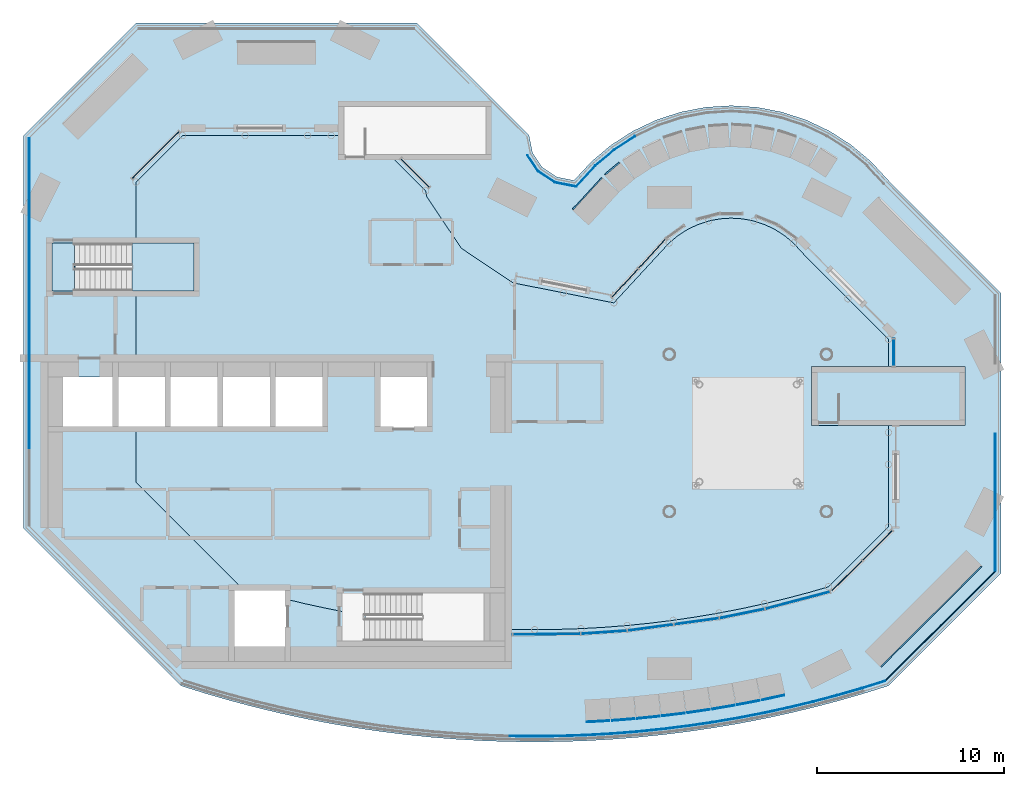
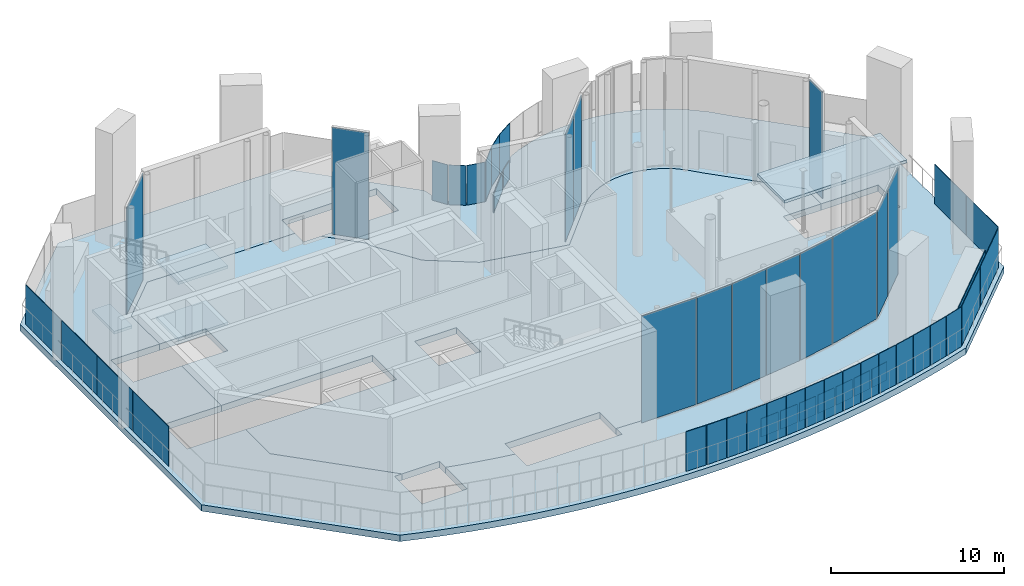
# One storey, part 6 of 14: 53 plates, 6 slabs, 11 elements without a shape of their own.
"""IFC4 building model written with IfcOpenShell, lengths in metres."""

from ifc_helpers import new_model, si_unit, direction, frame, origin, origin_2d, place, context, subcontext, project, spatial, polyline, rectangle, outline, extrude, material, layer, layer_set, type_object, element, aggregate, save


model = new_model("IFC4")

# Units and contexts
model_context = context("Model", 3, precision=1e-05, world=origin(), true_north=direction((0.0, 1.0)))
body_context = subcontext(model_context, "Body", "Model", "MODEL_VIEW")
ifc_project = project(units=[si_unit("LENGTHUNIT", "METRE"), si_unit("AREAUNIT", "SQUARE_METRE"), si_unit("VOLUMEUNIT", "CUBIC_METRE"), si_unit("PLANEANGLEUNIT", "RADIAN"), si_unit("MASSUNIT", "GRAM", prefix="KILO")], contexts=[model_context])

# Site, building, storey
site_placement = place(None, origin())
site = spatial("IfcSite", under=ifc_project, at=site_placement, CompositionType="ELEMENT")
building_placement = place(site_placement, origin())
building = spatial("IfcBuilding", under=site, at=building_placement, Name="Brevane Broadcast Tower", CompositionType="ELEMENT")
storey_placement = place(building_placement, frame((0.0, 0.0, 256.199951171875)))
storey = spatial("IfcBuildingStorey", under=building, at=storey_placement, Name="L65", CompositionType="ELEMENT", Elevation=256.199951171875)

# Curtain wall, plate
ifc_material_1 = material(Name="Aluminium 6063-T6 bronze anodised", Category="aluminium")
curtain_wall_type = type_object("IfcCurtainWallType", Name="CW-5 curtain wall", PredefinedType="NOTDEFINED", material=ifc_material_1)
curtain_wall_1_placement = place(storey_placement, origin())
curtain_wall_1 = element("IfcCurtainWall", 1, at=curtain_wall_1_placement, inside=storey, type_object=curtain_wall_type, Name="CW-5 hall glazing 1", PredefinedType="NOTDEFINED")
ifc_material_2 = material(Name="Laminated glass bronze-tinted", Category="glass")
ifc_layer_1 = layer(ifc_material_2, 0.0400390625)
ifc_layer_set_1 = layer_set([ifc_layer_1], Name="CW tall glass panel 40")
plate_type_1 = type_object("IfcPlateType", Name="CW tall glass panel 40", PredefinedType="CURTAIN_PANEL", material=ifc_layer_set_1)
plate_1_placement = place(storey_placement, frame((27.032470703125, 1.85546875, 0.080078125), z_axis=(0.0, 0.0, 1.0), x_axis=(0.999936788377, 0.011243631559, 0.0)))
plate_1 = element("IfcPlate", 2, at=plate_1_placement, type_object=plate_type_1, Name="Hall glass panel", PredefinedType="CURTAIN_PANEL", context=body_context, shape_type="SweptSolid", body=[
    extrude(rectangle(XDim=3.642822265625, YDim=0.0400390625, at=origin_2d()), origin(), (0.0, 0.0, 1.0), 7.5400390625),
])
aggregate(curtain_wall_1, [plate_1])

curtain_wall_2_placement = place(storey_placement, origin())
curtain_wall_2 = element("IfcCurtainWall", 3, at=curtain_wall_2_placement, inside=storey, type_object=curtain_wall_type, Name="CW-5 hall glazing 2", PredefinedType="NOTDEFINED")
plate_2_placement = place(storey_placement, frame((30.1279296875, 1.960205078125, 0.080078125), z_axis=(0.0, 0.0, 1.0), x_axis=(0.997725145019, 0.067413166345, 0.0)))
plate_2 = element("IfcPlate", 4, at=plate_2_placement, type_object=plate_type_1, Name="Hall glass panel", PredefinedType="CURTAIN_PANEL", context=body_context, shape_type="SweptSolid", body=[
    extrude(rectangle(XDim=2.423095703125, YDim=0.0400390625, at=origin_2d()), origin(), (0.0, 0.0, 1.0), 7.5400390625),
])
aggregate(curtain_wall_2, [plate_2])

# Curtain wall, plates
curtain_wall_3_placement = place(storey_placement, origin())
curtain_wall_3 = element("IfcCurtainWall", 5, at=curtain_wall_3_placement, inside=storey, type_object=curtain_wall_type, Name="CW-5 hall glazing 3", PredefinedType="NOTDEFINED")
plate_3_placement = place(storey_placement, frame((32.603515625, 2.21142578125, 0.080078125), z_axis=(0.0, 0.0, 1.0), x_axis=(0.990910913239, 0.134519745853, 0.0)))
plate_3 = element("IfcPlate", 6, at=plate_3_placement, type_object=plate_type_1, Name="Hall glass panel", PredefinedType="CURTAIN_PANEL", context=body_context, shape_type="SweptSolid", body=[
    extrude(rectangle(XDim=2.422607421875, YDim=0.0400390625, at=origin_2d()), origin(), (0.0, 0.0, 1.0), 7.5400390625),
])
plate_4_placement = place(storey_placement, frame((35.0634765625, 2.54541015625, 0.080078125), z_axis=(0.0, 0.0, 1.0), x_axis=(0.990910913239, 0.134519745853, 0.0)))
plate_4 = element("IfcPlate", 7, at=plate_4_placement, type_object=plate_type_1, Name="Hall glass panel", PredefinedType="CURTAIN_PANEL", context=body_context, shape_type="SweptSolid", body=[
    extrude(rectangle(XDim=2.422607421875, YDim=0.0400390625, at=origin_2d()), origin(), (0.0, 0.0, 1.0), 7.5400390625),
])
aggregate(curtain_wall_3, [plate_3, plate_4])

# Curtain wall, plate
curtain_wall_4_placement = place(storey_placement, origin())
curtain_wall_4 = element("IfcCurtainWall", 8, at=curtain_wall_4_placement, inside=storey, type_object=curtain_wall_type, Name="CW-5 hall glazing 4", PredefinedType="NOTDEFINED")
plate_5_placement = place(storey_placement, frame((37.51611328125, 2.963134765625, 0.080078125), z_axis=(0.0, 0.0, 1.0), x_axis=(0.979588299921, 0.201014334459, 0.0)))
plate_5 = element("IfcPlate", 9, at=plate_5_placement, type_object=plate_type_1, Name="Hall glass panel", PredefinedType="CURTAIN_PANEL", context=body_context, shape_type="SweptSolid", body=[
    extrude(rectangle(XDim=2.423095703125, YDim=0.0400390625, at=origin_2d()), origin(), (0.0, 0.0, 1.0), 7.5400390625),
])
aggregate(curtain_wall_4, [plate_5])

curtain_wall_5_placement = place(storey_placement, origin())
curtain_wall_5 = element("IfcCurtainWall", 10, at=curtain_wall_5_placement, inside=storey, type_object=curtain_wall_type, Name="CW-5 hall glazing 5", PredefinedType="NOTDEFINED")
plate_6_placement = place(storey_placement, frame((40.4814453125, 3.673828125, 0.080078125), z_axis=(0.0, 0.0, 1.0), x_axis=(0.966932951641, 0.25503071782, 0.0)))
plate_6 = element("IfcPlate", 11, at=plate_6_placement, type_object=plate_type_1, Name="Hall glass panel", PredefinedType="CURTAIN_PANEL", context=body_context, shape_type="SweptSolid", body=[
    extrude(rectangle(XDim=3.546630859375, YDim=0.0400390625, at=origin_2d()), origin(), (0.0, 0.0, 1.0), 7.5400390625),
])
aggregate(curtain_wall_5, [plate_6])

# Curtain wall, plates
curtain_wall_6_placement = place(storey_placement, origin())
curtain_wall_6 = element("IfcCurtainWall", 12, at=curtain_wall_6_placement, inside=storey, type_object=curtain_wall_type, Name="CW-5 hall glazing 6", PredefinedType="NOTDEFINED")
plate_7_placement = place(storey_placement, frame((43.090576171875, 4.979736328125, 0.080078125), z_axis=(0.0, 0.0, 1.0), x_axis=(0.707106781187, 0.707106781187, 0.0)))
plate_7 = element("IfcPlate", 13, at=plate_7_placement, type_object=plate_type_1, Name="Hall glass panel", PredefinedType="CURTAIN_PANEL", context=body_context, shape_type="SweptSolid", body=[
    extrude(rectangle(XDim=2.259521484375, YDim=0.0400390625, at=origin_2d()), origin(), (0.0, 0.0, 1.0), 7.5400390625),
])
plate_8_placement = place(storey_placement, frame((44.730712890625, 6.619873046875, 0.080078125), z_axis=(0.0, 0.0, 1.0), x_axis=(0.707106781187, 0.707106781187, 0.0)))
plate_8 = element("IfcPlate", 14, at=plate_8_placement, type_object=plate_type_1, Name="Hall glass panel", PredefinedType="CURTAIN_PANEL", context=body_context, shape_type="SweptSolid", body=[
    extrude(rectangle(XDim=2.259521484375, YDim=0.0400390625, at=origin_2d()), origin(), (0.0, 0.0, 1.0), 7.5400390625),
])
aggregate(curtain_wall_6, [plate_7, plate_8])

# Curtain wall, plate
curtain_wall_7_placement = place(storey_placement, origin())
curtain_wall_7 = element("IfcCurtainWall", 15, at=curtain_wall_7_placement, inside=storey, type_object=curtain_wall_type, Name="CW-5 hall glazing 8", PredefinedType="NOTDEFINED")
plate_9_placement = place(storey_placement, frame((45.580078125, 16.90966796875, 0.080078125), z_axis=(0.0, 0.0, 1.0), x_axis=(0.0, 1.0, 0.0)))
plate_9 = element("IfcPlate", 16, at=plate_9_placement, type_object=plate_type_1, Name="Hall glass panel", PredefinedType="CURTAIN_PANEL", context=body_context, shape_type="SweptSolid", body=[
    extrude(rectangle(XDim=1.499267578125, YDim=0.0400390625, at=origin_2d()), origin(), (0.0, 0.0, 1.0), 7.5400390625),
])
aggregate(curtain_wall_7, [plate_9])

# Curtain wall, plates
curtain_wall_8_placement = place(storey_placement, origin())
curtain_wall_8 = element("IfcCurtainWall", 17, at=curtain_wall_8_placement, inside=storey, type_object=curtain_wall_type, Name="CW-5 hall glazing 15", PredefinedType="NOTDEFINED")
plate_10_placement = place(storey_placement, frame((32.66015625, 22.173583984375, 0.080078125), z_axis=(0.0, 0.0, 1.0), x_axis=(-0.678300068097, -0.734785014559, 0.0)))
plate_10 = element("IfcPlate", 18, at=plate_10_placement, type_object=plate_type_1, Name="Hall glass panel", PredefinedType="CURTAIN_PANEL", context=body_context, shape_type="SweptSolid", body=[
    extrude(rectangle(XDim=2.072509765625, YDim=0.0400390625, at=origin_2d()), origin(), (0.0, 0.0, 1.0), 7.5400390625),
])
plate_11_placement = place(storey_placement, frame((31.213623046875, 20.606689453125, 0.080078125), z_axis=(0.0, 0.0, 1.0), x_axis=(-0.678300068097, -0.734785014559, 0.0)))
plate_11 = element("IfcPlate", 19, at=plate_11_placement, type_object=plate_type_1, Name="Hall glass panel", PredefinedType="CURTAIN_PANEL", context=body_context, shape_type="SweptSolid", body=[
    extrude(rectangle(XDim=2.072509765625, YDim=0.0400390625, at=origin_2d()), origin(), (0.0, 0.0, 1.0), 7.5400390625),
])
aggregate(curtain_wall_8, [plate_10, plate_11])

# Curtain wall, plate
curtain_wall_9_placement = place(storey_placement, origin())
curtain_wall_9 = element("IfcCurtainWall", 20, at=curtain_wall_9_placement, inside=storey, type_object=curtain_wall_type, Name="CW-5 hall glazing 17", PredefinedType="NOTDEFINED")
plate_12_placement = place(storey_placement, frame((20.013427734375, 26.497314453125, 0.080078125), z_axis=(0.0, 0.0, 1.0), x_axis=(-0.707106781187, 0.707106781187, 0.0)))
plate_12 = element("IfcPlate", 21, at=plate_12_placement, type_object=plate_type_1, Name="Hall glass panel", PredefinedType="CURTAIN_PANEL", context=body_context, shape_type="SweptSolid", body=[
    extrude(rectangle(XDim=2.184326171875, YDim=0.0400390625, at=origin_2d()), origin(), (0.0, 0.0, 1.0), 7.5400390625),
])
aggregate(curtain_wall_9, [plate_12])

curtain_wall_10_placement = place(storey_placement, origin())
curtain_wall_10 = element("IfcCurtainWall", 22, at=curtain_wall_10_placement, inside=storey, type_object=curtain_wall_type, Name="CW-5 hall glazing 19", PredefinedType="NOTDEFINED")
plate_13_placement = place(storey_placement, frame((6.14453125, 27.455322265625, 0.080078125), z_axis=(0.0, 0.0, 1.0), x_axis=(-0.707106781187, -0.707106781187, 0.0)))
plate_13 = element("IfcPlate", 23, at=plate_13_placement, type_object=plate_type_1, Name="Hall glass panel", PredefinedType="CURTAIN_PANEL", context=body_context, shape_type="SweptSolid", body=[
    extrude(rectangle(XDim=3.603759765625, YDim=0.0400390625, at=origin_2d()), origin(), (0.0, 0.0, 1.0), 7.5400390625),
])
aggregate(curtain_wall_10, [plate_13])

# Plates
ifc_material_3 = material(Name="Laminated glass clear", Category="glass")
ifc_layer_2 = layer(ifc_material_3, 0.0400390625)
ifc_layer_set_2 = layer_set([ifc_layer_2], Name="Deck wind screen 2800")
plate_type_2 = type_object("IfcPlateType", Name="Deck wind screen 2800", PredefinedType="SHEET", material=ifc_layer_set_2)
for number, where, z_axis, x_axis, name in (
    (24, (-0.60009765625, 13.849609375, 0.0), (0.0, 0.0, 1.0), (0.0, 1.0, 0.0), "Deck wind screen"),
    (25, (-0.60009765625, 18.0, 0.0), (0.0, 0.0, 1.0), (0.0, 1.0, 0.0), "Deck wind screen"),
    (26, (-0.60009765625, 22.150390625, 0.0), (0.0, 0.0, 1.0), (0.0, 1.0, 0.0), "Deck wind screen"),
    (27, (-0.60009765625, 26.300537109375, 0.0), (0.0, 0.0, 1.0), (0.0, 1.0, 0.0), "Deck wind screen"),
):
    element("IfcPlate", number, at=place(storey_placement, frame(where, z_axis=z_axis, x_axis=x_axis)), inside=storey, type_object=plate_type_2, Name=name, PredefinedType="SHEET", context=body_context, shape_type="SweptSolid", body=[
        extrude(rectangle(XDim=4.1103515625, YDim=0.0400390625, at=origin_2d()), origin(), (0.0, 0.0, 1.0), 2.800048828125),
    ])
for number, where, z_axis, x_axis, name in (
    (28, (26.29345703125, 27.025634765625, 0.0), (0.0, 0.0, 1.0), (0.555570544314, -0.831469404302, 0.0), "Deck wind screen"),
    (29, (27.025634765625, 26.29345703125, 0.0), (0.0, 0.0, 1.0), (0.831469404302, -0.555570544314, 0.0), "Deck wind screen"),
):
    element("IfcPlate", number, at=place(storey_placement, frame(where, z_axis=z_axis, x_axis=x_axis)), inside=storey, type_object=plate_type_2, Name=name, PredefinedType="SHEET", context=body_context, shape_type="SweptSolid", body=[
        extrude(rectangle(XDim=1.015869140625, YDim=0.0400390625, at=origin_2d()), origin(), (0.0, 0.0, 1.0), 2.800048828125),
    ])
plate_14_placement = place(storey_placement, frame((28.035400390625, 25.886474609375, 0.0), z_axis=(0.0, 0.0, 1.0), x_axis=(0.980785295664, -0.195090245294, 0.0)))
element("IfcPlate", 30, at=plate_14_placement, inside=storey, type_object=plate_type_2, Name="Deck wind screen", PredefinedType="SHEET", context=body_context, shape_type="SweptSolid", body=[
    extrude(rectangle(XDim=1.124267578125, YDim=0.0400390625, at=origin_2d()), origin(), (0.0, 0.0, 1.0), 2.800048828125),
])
plate_15_placement = place(storey_placement, frame((29.12255859375, 26.33203125, 0.0), z_axis=(0.0, 0.0, 1.0), x_axis=(0.678300068097, 0.734785014559, 0.0)))
element("IfcPlate", 31, at=plate_15_placement, inside=storey, type_object=plate_type_2, Name="Deck wind screen", PredefinedType="SHEET", context=body_context, shape_type="SweptSolid", body=[
    extrude(rectangle(XDim=1.48193359375, YDim=0.0400390625, at=origin_2d()), origin(), (0.0, 0.0, 1.0), 2.800048828125),
])
for number, where, z_axis, x_axis, name in (
    (32, (30.14990234375, 27.320556640625, 0.0), (0.0, 0.0, 1.0), (0.765889367392, 0.642972376479, 0.0), "Deck wind screen"),
    (33, (31.222412109375, 28.110595703125, 0.0), (0.0, 0.0, 1.0), (0.841146502794, 0.54080732321, 0.0), "Deck wind screen"),
):
    element("IfcPlate", number, at=place(storey_placement, frame(where, z_axis=z_axis, x_axis=x_axis)), inside=storey, type_object=plate_type_2, Name=name, PredefinedType="SHEET", context=body_context, shape_type="SweptSolid", body=[
        extrude(rectangle(XDim=1.294921875, YDim=0.0400390625, at=origin_2d()), origin(), (0.0, 0.0, 1.0), 2.800048828125),
    ])
for number, where, z_axis, x_axis, name in (
    (34, (51.0, 10.756103515625, 0.0), (0.0, 0.0, 1.0), (0.0, -1.0, 0.0), "Deck wind screen"),
    (35, (51.0, 7.068115234375, 0.0), (0.0, 0.0, 1.0), (0.0, -1.0, 0.0), "Deck wind screen"),
):
    element("IfcPlate", number, at=place(storey_placement, frame(where, z_axis=z_axis, x_axis=x_axis)), inside=storey, type_object=plate_type_2, Name=name, PredefinedType="SHEET", context=body_context, shape_type="SweptSolid", body=[
        extrude(rectangle(XDim=3.64794921875, YDim=0.0400390625, at=origin_2d()), origin(), (0.0, 0.0, 1.0), 2.800048828125),
    ])
for number, where, z_axis, x_axis, name in (
    (36, (49.534912109375, 3.75927734375, 0.0), (0.0, 0.0, 1.0), (-0.707106781187, -0.707106781187, 0.0), "Deck wind screen"),
    (37, (46.60498046875, 0.829345703125, 0.0), (0.0, 0.0, 1.0), (-0.707106781187, -0.707106781187, 0.0), "Deck wind screen"),
):
    element("IfcPlate", number, at=place(storey_placement, frame(where, z_axis=z_axis, x_axis=x_axis)), inside=storey, type_object=plate_type_2, Name=name, PredefinedType="SHEET", context=body_context, shape_type="SweptSolid", body=[
        extrude(rectangle(XDim=4.103759765625, YDim=0.0400390625, at=origin_2d()), origin(), (0.0, 0.0, 1.0), 2.800048828125),
    ])
plate_16_placement = place(storey_placement, frame((44.52197265625, -0.829345703125, 0.0), z_axis=(0.0, 0.0, 1.0), x_axis=(-0.954269450986, -0.298947846479, 0.0)))
element("IfcPlate", 38, at=plate_16_placement, inside=storey, type_object=plate_type_2, Name="Deck wind screen", PredefinedType="SHEET", context=body_context, shape_type="SweptSolid", body=[
    extrude(rectangle(XDim=1.25537109375, YDim=0.0400390625, at=origin_2d()), origin(), (0.0, 0.0, 1.0), 2.800048828125),
])
for number, where, z_axis, x_axis, name in (
    (39, (43.24755859375, -1.21240234375, 0.0), (0.0, 0.0, 1.0), (-0.960750519553, -0.277413840999, 0.0), "Deck wind screen"),
    (40, (41.931396484375, -1.57666015625, 0.0), (0.0, 0.0, 1.0), (-0.966745513357, -0.25574032221, 0.0), "Deck wind screen"),
    (41, (40.607177734375, -1.910888671875, 0.0), (0.0, 0.0, 1.0), (-0.972251688616, -0.233937286434, 0.0), "Deck wind screen"),
    (42, (39.27587890625, -2.215576171875, 0.0), (0.0, 0.0, 1.0), (-0.977266217763, -0.212015894734, 0.0), "Deck wind screen"),
    (43, (37.938232421875, -2.489990234375, 0.0), (0.0, 0.0, 1.0), (-0.981786540928, -0.189987336557, 0.0), "Deck wind screen"),
    (44, (36.594482421875, -2.734375, 0.0), (0.0, 0.0, 1.0), (-0.985810531117, -0.167861838246, 0.0), "Deck wind screen"),
    (45, (35.24560546875, -2.948486328125, 0.0), (0.0, 0.0, 1.0), (-0.989335707455, -0.145653211273, 0.0), "Deck wind screen"),
    (46, (33.892333984375, -3.13232421875, 0.0), (0.0, 0.0, 1.0), (-0.99236077924, -0.123369703844, 0.0), "Deck wind screen"),
    (47, (32.535400390625, -3.285400390625, 0.0), (0.0, 0.0, 1.0), (-0.994883979011, -0.101024097658, 0.0), "Deck wind screen"),
    (48, (31.175048828125, -3.408203125, 0.0), (0.0, 0.0, 1.0), (-0.99690411933, -0.078626820253, 0.0), "Deck wind screen"),
    (49, (29.8125, -3.500244140625, 0.0), (0.0, 0.0, 1.0), (-0.998420038959, -0.056190976185, 0.0), "Deck wind screen"),
    (50, (28.4482421875, -3.5615234375, 0.0), (0.0, 0.0, 1.0), (-0.999431143056, -0.033725217422, 0.0), "Deck wind screen"),
    (51, (27.082763671875, -3.59228515625, 0.0), (0.0, 0.0, 1.0), (-0.999936782347, -0.011244167795, 0.0), "Deck wind screen"),
    (52, (25.717041015625, -3.59228515625, 0.0), (0.0, 0.0, 1.0), (-0.999936782347, 0.011244167795, 0.0), "Deck wind screen"),
):
    element("IfcPlate", number, at=place(storey_placement, frame(where, z_axis=z_axis, x_axis=x_axis)), inside=storey, type_object=plate_type_2, Name=name, PredefinedType="SHEET", context=body_context, shape_type="SweptSolid", body=[
        extrude(rectangle(XDim=1.32568359375, YDim=0.0400390625, at=origin_2d()), origin(), (0.0, 0.0, 1.0), 2.800048828125),
    ])

# Stair, slabs
ifc_material_4 = material(Name="Concrete C50/60", Category="concrete")
stair_type = type_object("IfcStairType", Name="Exit stair 48 risers", PredefinedType="HALF_TURN_STAIR", material=ifc_material_4)
stair_placement = place(storey_placement, origin())
stair = element("IfcStair", 53, at=stair_placement, inside=storey, type_object=stair_type, Name="L65 Exit stair ST-1", PredefinedType="HALF_TURN_STAIR")
ifc_layer_3 = layer(ifc_material_4, 0.199951171875)
ifc_layer_set_3 = layer_set([ifc_layer_3], Name="Exit stair landing")
slab_type_1 = type_object("IfcSlabType", Name="Exit stair landing", PredefinedType="LANDING", material=ifc_layer_set_3)
slab_1_placement = place(storey_placement, frame((0.0, 0.0, 1.800048828125)))
slab_1 = element("IfcSlab", 54, at=slab_1_placement, type_object=slab_type_1, Name="ST-1 landing 1", PredefinedType="LANDING", context=body_context, shape_type="SweptSolid", body=[
    extrude(outline(polyline([(4.8798828125, 20.199951171875), (8.199951171875, 20.199951171875), (8.199951171875, 22.75), (4.8798828125, 22.75), (4.8798828125, 20.199951171875)])), origin(), (0.0, 0.0, 1.0), 0.199951171875),
])
slab_2_placement = place(storey_placement, frame((0.0, 0.0, 3.800048828125)))
slab_2 = element("IfcSlab", 55, at=slab_2_placement, type_object=slab_type_1, Name="ST-1 landing 2", PredefinedType="LANDING", context=body_context, shape_type="SweptSolid", body=[
    extrude(outline(polyline([(0.60009765625, 20.199951171875), (1.800048828125, 20.199951171875), (1.800048828125, 22.75), (0.60009765625, 22.75), (0.60009765625, 20.199951171875)])), origin(), (0.0, 0.0, 1.0), 0.199951171875),
])
slab_3_placement = place(storey_placement, frame((0.0, 0.0, 5.800048828125)))
slab_3 = element("IfcSlab", 56, at=slab_3_placement, type_object=slab_type_1, Name="ST-1 landing 3", PredefinedType="LANDING", context=body_context, shape_type="SweptSolid", body=[
    extrude(outline(polyline([(4.8798828125, 20.199951171875), (8.199951171875, 20.199951171875), (8.199951171875, 22.75), (4.8798828125, 22.75), (4.8798828125, 20.199951171875)])), origin(), (0.0, 0.0, 1.0), 0.199951171875),
])
aggregate(stair, [slab_1, slab_2, slab_3])

# Plates
ifc_material_5 = material(Name="Aluminium bronze anodised", Category="aluminium")
ifc_layer_4 = layer(ifc_material_5, 0.050048828125)
ifc_layer_set_4 = layer_set([ifc_layer_4], Name="Planter fascia plate 1300")
plate_type_3 = type_object("IfcPlateType", Name="Planter fascia plate 1300", PredefinedType="SHEET", material=ifc_layer_set_4)
plate_17_placement = place(storey_placement, frame((29.1875, -2.859375, 0.0), z_axis=(0.056211793942, -0.99841886712, 0.0), x_axis=(0.99841886712, 0.056211793942, 0.0)))
element("IfcPlate", 57, at=plate_17_placement, inside=storey, type_object=plate_type_3, Name="Bed fascia L65-1", PredefinedType="SHEET", context=body_context, shape_type="SweptSolid", body=[
    extrude(outline(polyline([(0.0, 0.0), (1.2030740950082779, 0.0), (1.2030740950082779, 1.300048828125), (0.0, 1.300048828125), (0.0, 0.0)])), origin(), (0.0, 0.0, -1.0), 0.050048828125),
])
plate_18_placement = place(storey_placement, frame((30.535888671875, -2.781494140625, 0.0), z_axis=(0.078744947201, -0.996894795498, 0.0), x_axis=(0.996894795498, 0.078744947201, 0.0)))
element("IfcPlate", 58, at=plate_18_placement, inside=storey, type_object=plate_type_3, Name="Bed fascia L65-2", PredefinedType="SHEET", context=body_context, shape_type="SweptSolid", body=[
    extrude(outline(polyline([(0.0, 0.0), (1.2029541687007985, 0.0), (1.2029541687007985, 1.300048828125), (0.0, 1.300048828125), (0.0, 0.0)])), origin(), (0.0, 0.0, -1.0), 0.050048828125),
])
plate_19_placement = place(storey_placement, frame((31.882080078125, -2.67333984375, 0.0), z_axis=(0.101050557481, -0.99488129183, 0.0), x_axis=(0.99488129183, 0.101050557481, 0.0)))
element("IfcPlate", 59, at=plate_19_placement, inside=storey, type_object=plate_type_3, Name="Bed fascia L65-3", PredefinedType="SHEET", context=body_context, shape_type="SweptSolid", body=[
    extrude(outline(polyline([(0.0, 0.0), (1.2031802127604179, 0.0), (1.2031802127604179, 1.3000488281250002), (0.0, 1.3000488281250002), (0.0, 0.0)])), origin(), (0.0, 0.0, -1.0), 0.050048828125),
])
plate_20_placement = place(storey_placement, frame((33.2255859375, -2.534912109375, 0.0), z_axis=(0.12338531165, -0.992358838762, 0.0), x_axis=(0.992358838762, 0.12338531165, 0.0)))
element("IfcPlate", 60, at=plate_20_placement, inside=storey, type_object=plate_type_3, Name="Bed fascia L65-4", PredefinedType="SHEET", context=body_context, shape_type="SweptSolid", body=[
    extrude(outline(polyline([(0.0, 0.0), (1.2030402810130125, 0.0), (1.2030402810130125, 1.300048828125), (0.0, 1.300048828125), (0.0, 0.0)])), origin(), (0.0, 0.0, -1.0), 0.050048828125),
])
plate_21_placement = place(storey_placement, frame((34.565673828125, -2.366455078125, 0.0), z_axis=(0.145710157372, -0.989327321991, 0.0), x_axis=(0.989327321991, 0.145710157372, 0.0)))
element("IfcPlate", 61, at=plate_21_placement, inside=storey, type_object=plate_type_3, Name="Bed fascia L65-5", PredefinedType="SHEET", context=body_context, shape_type="SweptSolid", body=[
    extrude(outline(polyline([(0.0, 0.0), (1.203025045825452, 0.0), (1.203025045825452, 1.300048828125), (0.0, 1.300048828125), (0.0, 0.0)])), origin(), (0.0, 0.0, -1.0), 0.050048828125),
])
plate_22_placement = place(storey_placement, frame((35.9013671875, -2.167724609375, 0.0), z_axis=(0.167820328107, -0.985817598481, 0.0), x_axis=(0.985817598481, 0.167820328107, 0.0)))
element("IfcPlate", 62, at=plate_22_placement, inside=storey, type_object=plate_type_3, Name="Bed fascia L65-6", PredefinedType="SHEET", context=body_context, shape_type="SweptSolid", body=[
    extrude(outline(polyline([(0.0, 0.0), (1.2030979747957147, 0.0), (1.2030979747957147, 1.300048828125), (0.0, 1.300048828125), (0.0, 0.0)])), origin(), (0.0, 0.0, -1.0), 0.050048828125),
])
plate_23_placement = place(storey_placement, frame((37.232666015625, -1.93896484375, 0.0), z_axis=(0.189946187412, -0.981794502881, 0.0), x_axis=(0.981794502881, 0.189946187412, 0.0)))
element("IfcPlate", 63, at=plate_23_placement, inside=storey, type_object=plate_type_3, Name="Bed fascia L65-7", PredefinedType="SHEET", context=body_context, shape_type="SweptSolid", body=[
    extrude(outline(polyline([(0.0, 0.0), (1.2030545498917573, 0.0), (1.2030545498917573, 1.300048828125), (0.0, 1.300048828125), (0.0, 0.0)])), origin(), (0.0, 0.0, -1.0), 0.050048828125),
])
plate_24_placement = place(storey_placement, frame((38.55810546875, -1.680419921875, 0.0), z_axis=(0.211856721135, -0.977300736575, 0.0), x_axis=(0.977300736575, 0.211856721135, 0.0)))
element("IfcPlate", 64, at=plate_24_placement, inside=storey, type_object=plate_type_3, Name="Bed fascia L65-8", PredefinedType="SHEET", context=body_context, shape_type="SweptSolid", body=[
    extrude(outline(polyline([(0.0, 0.0), (1.2030905186059246, 0.0), (1.2030905186059246, 1.300048828125), (0.0, 1.300048828125), (0.0, 0.0)])), origin(), (0.0, 0.0, -1.0), 0.050048828125),
])
plate_25_placement = place(storey_placement, frame((44.930908203125, 0.10986328125, 0.0), z_axis=(0.707106781187, -0.707106781187, 0.0), x_axis=(0.707106781187, 0.707106781187, 0.0)))
element("IfcPlate", 65, at=plate_25_placement, inside=storey, type_object=plate_type_3, Name="Bed fascia L65-9", PredefinedType="SHEET", context=body_context, shape_type="SweptSolid", body=[
    extrude(outline(polyline([(0.0, 0.0), (7.55789425789723, 0.0), (7.55789425789723, 1.3000488281250002), (0.0, 1.3000488281250002), (0.0, 0.0)])), origin(), (0.0, 0.0, -1.0), 0.050048828125),
])
plate_26_placement = place(storey_placement, frame((30.898681640625, 27.067626953125, 0.0), z_axis=(-0.64286862184, 0.76597645855, 0.0), x_axis=(-0.76597645855, -0.64286862184, 0.0)))
element("IfcPlate", 66, at=plate_26_placement, inside=storey, type_object=plate_type_3, Name="Bed fascia L65-21", PredefinedType="SHEET", context=body_context, shape_type="SweptSolid", body=[
    extrude(outline(polyline([(0.0, 0.0), (0.9737239324388389, 0.0), (0.9737239324388389, 1.300048828125), (0.0, 1.300048828125), (0.0, 0.0)])), origin(), (0.0, 0.0, -1.0), 0.050048828125),
])
plate_27_placement = place(storey_placement, frame((29.960693359375, 26.2451171875, 0.0), z_axis=(-0.734819933734, 0.678262239098, 0.0), x_axis=(-0.678262239098, -0.734819933734, 0.0)))
element("IfcPlate", 67, at=plate_27_placement, inside=storey, type_object=plate_type_3, Name="Bed fascia L65-22", PredefinedType="SHEET", context=body_context, shape_type="SweptSolid", body=[
    extrude(outline(polyline([(0.0, 0.0), (2.270565827971839, 0.0), (2.270565827971839, 1.300048828125), (0.0, 1.300048828125), (0.0, 0.0)])), origin(), (0.0, 0.0, -1.0), 0.050048828125),
])

# Slabs
ifc_material_6 = material(Name="Concrete C40/50", Category="concrete")
ifc_layer_5 = layer(ifc_material_6, 0.449951171875)
ifc_layer_set_5 = layer_set([ifc_layer_5], Name="RC FLOOR SLAB 450 C40/50")
slab_type_2 = type_object("IfcSlabType", Name="RC FLOOR SLAB 450 C40/50", PredefinedType="FLOOR", material=ifc_layer_set_5)
slab_4_placement = place(storey_placement, frame((0.0, 0.0, -0.449951171875)))
element("IfcSlab", 68, at=slab_4_placement, inside=storey, type_object=slab_type_2, Name="SL450 L65", PredefinedType="FLOOR", context=body_context, shape_type="SweptSolid", body=[
    extrude(outline(polyline([(5.10009765625, 9.9853515625), (5.10009765625, 12.800048828125), (6.800048828125, 12.800048828125), (9.60009765625, 12.800048828125), (12.39990234375, 12.800048828125), (15.199951171875, 12.800048828125), (15.199951171875, 15.60009765625), (12.39990234375, 15.60009765625), (9.60009765625, 15.60009765625), (6.800048828125, 15.60009765625), (5.10009765625, 15.60009765625), (5.10009765625, 20.199951171875), (8.199951171875, 20.199951171875), (8.199951171875, 22.75), (5.10009765625, 22.75), (5.10009765625, 26.0146484375), (7.585205078125, 28.5), (17.4599609375, 28.5), (17.4599609375, 27.5), (18.61474609375, 27.5), (20.5703125, 25.54443359375), (20.630859375, 25.240478515625), (22.477294921875, 22.477294921875), (25.240478515625, 20.630859375), (30.627685546875, 19.559326171875), (33.581298828125, 22.7587890625), (34.048583984375, 23.151123046875), (34.561767578125, 23.48095703125), (35.112548828125, 23.7431640625), (35.692138671875, 23.93359375), (36.291259765625, 24.049072265625), (36.89990234375, 24.087890625), (37.5087890625, 24.049072265625), (38.10791015625, 23.93359375), (38.6875, 23.7431640625), (39.23828125, 23.48095703125), (39.75146484375, 23.151123046875), (40.21875, 22.7587890625), (40.97265625, 21.942138671875), (45.300048828125, 17.61474609375), (45.300048828125, 15.85009765625), (42.760009765625, 15.85009765625), (42.760009765625, 13.300048828125), (45.300048828125, 13.300048828125), (45.300048828125, 7.585205078125), (42.105224609375, 4.390625), (41.072021484375, 4.092041015625), (39.87548828125, 3.775634765625), (38.672119140625, 3.486083984375), (37.462646484375, 3.2236328125), (36.24755859375, 2.988525390625), (35.027587890625, 2.78076171875), (33.80322265625, 2.6005859375), (32.5751953125, 2.447998046875), (31.34375, 2.322998046875), (30.110107421875, 2.2255859375), (28.87451171875, 2.156005859375), (27.637451171875, 2.1142578125), (26.39990234375, 2.100341796875), (25.16259765625, 2.1142578125), (23.925537109375, 2.156005859375), (23.699951171875, 2.168701171875), (23.699951171875, 4.050048828125), (17.360107421875, 4.050048828125), (17.360107421875, 2.85107421875), (16.55224609375, 2.988525390625), (15.337158203125, 3.2236328125), (14.127685546875, 3.486083984375), (13.199951171875, 3.70947265625), (13.199951171875, 4.39990234375), (10.685302734375, 4.39990234375), (5.10009765625, 9.9853515625)]), holes=[polyline([(20.800048828125, 15.60009765625), (18.0, 15.60009765625), (18.0, 12.800048828125), (20.800048828125, 12.800048828125), (20.800048828125, 15.60009765625)])]), origin(), (0.0, 0.0, 1.0), 0.449951171875),
])
ifc_layer_6 = layer(ifc_material_6, 0.449951171875)
ifc_layer_set_6 = layer_set([ifc_layer_6], Name="RC ROOF SLAB 450 C40/50")
slab_type_3 = type_object("IfcSlabType", Name="RC ROOF SLAB 450 C40/50", PredefinedType="ROOF", material=ifc_layer_set_6)
slab_5_placement = place(storey_placement, frame((0.0, 0.0, -0.449951171875)))
element("IfcSlab", 69, at=slab_5_placement, inside=storey, type_object=slab_type_3, Name="SR450 L65", PredefinedType="ROOF", context=body_context, shape_type="SweptSolid", body=[
    extrude(outline(polyline([(-0.89990234375, 28.5), (5.10009765625, 34.5), (20.10009765625, 34.5), (26.10009765625, 28.5), (26.28271484375, 27.58154296875), (26.802978515625, 26.802978515625), (27.58154296875, 26.28271484375), (28.5, 26.10009765625), (29.431396484375, 27.10888671875), (30.48291015625, 27.99169921875), (31.6376953125, 28.734130859375), (32.877197265625, 29.324462890625), (34.181640625, 29.7529296875), (35.52978515625, 30.012939453125), (36.89990234375, 30.10009765625), (38.270263671875, 30.012939453125), (39.618408203125, 29.7529296875), (40.922607421875, 29.324462890625), (42.162353515625, 28.734130859375), (43.317138671875, 27.99169921875), (44.36865234375, 27.10888671875), (45.300048828125, 26.10009765625), (51.300048828125, 20.10009765625), (51.300048828125, 5.10009765625), (45.300048828125, -0.89990234375), (43.990234375, -1.310302734375), (42.671630859375, -1.691162109375), (41.3447265625, -2.0419921875), (40.01025390625, -2.36328125), (38.6689453125, -2.654052734375), (37.3212890625, -2.9150390625), (35.96826171875, -3.145263671875), (34.6103515625, -3.34521484375), (33.248291015625, -3.5146484375), (31.8828125, -3.6533203125), (30.5146484375, -3.76123046875), (29.144287109375, -3.83837890625), (27.7724609375, -3.884521484375), (26.39990234375, -3.89990234375), (25.027587890625, -3.884521484375), (23.65576171875, -3.83837890625), (22.285400390625, -3.76123046875), (20.917236328125, -3.6533203125), (19.5517578125, -3.5146484375), (18.189697265625, -3.34521484375), (16.831787109375, -3.145263671875), (15.478759765625, -2.9150390625), (14.131103515625, -2.654052734375), (12.789794921875, -2.36328125), (11.455322265625, -2.0419921875), (10.12841796875, -1.691162109375), (8.809814453125, -1.310302734375), (7.5, -0.89990234375), (-0.89990234375, 7.5), (-0.89990234375, 28.5)]), holes=[polyline([(14.127685546875, 3.486083984375), (15.337158203125, 3.2236328125), (16.55224609375, 2.988525390625), (17.360107421875, 2.85107421875), (17.360107421875, 1.5), (23.699951171875, 1.5), (23.699951171875, 2.168701171875), (23.925537109375, 2.156005859375), (25.16259765625, 2.1142578125), (26.39990234375, 2.100341796875), (27.637451171875, 2.1142578125), (28.87451171875, 2.156005859375), (30.110107421875, 2.2255859375), (31.34375, 2.322998046875), (32.5751953125, 2.447998046875), (33.80322265625, 2.6005859375), (35.027587890625, 2.78076171875), (36.24755859375, 2.988525390625), (37.462646484375, 3.2236328125), (38.672119140625, 3.486083984375), (39.87548828125, 3.775634765625), (41.072021484375, 4.092041015625), (42.105224609375, 4.390625), (45.300048828125, 7.585205078125), (45.300048828125, 13.300048828125), (49.10009765625, 13.300048828125), (49.10009765625, 15.85009765625), (45.300048828125, 15.85009765625), (45.300048828125, 17.61474609375), (40.97265625, 21.942138671875), (40.21875, 22.7587890625), (39.75146484375, 23.151123046875), (39.23828125, 23.48095703125), (38.6875, 23.7431640625), (38.10791015625, 23.93359375), (37.5087890625, 24.049072265625), (36.89990234375, 24.087890625), (36.291259765625, 24.049072265625), (35.692138671875, 23.93359375), (35.112548828125, 23.7431640625), (34.561767578125, 23.48095703125), (34.048583984375, 23.151123046875), (33.581298828125, 22.7587890625), (30.627685546875, 19.559326171875), (25.240478515625, 20.630859375), (22.477294921875, 22.477294921875), (20.630859375, 25.240478515625), (20.5703125, 25.54443359375), (18.61474609375, 27.5), (23.800048828125, 27.5), (23.800048828125, 30.050048828125), (17.4599609375, 30.050048828125), (17.4599609375, 28.5), (7.585205078125, 28.5), (5.10009765625, 26.0146484375), (5.10009765625, 22.75), (1.860107421875, 22.75), (1.860107421875, 20.199951171875), (5.10009765625, 20.199951171875), (5.10009765625, 15.60009765625), (4.0, 15.60009765625), (1.199951171875, 15.60009765625), (1.199951171875, 12.800048828125), (4.0, 12.800048828125), (5.10009765625, 12.800048828125), (5.10009765625, 9.9853515625), (10.685302734375, 4.39990234375), (10.199951171875, 4.39990234375), (10.199951171875, 1.199951171875), (13.199951171875, 1.199951171875), (13.199951171875, 3.70947265625), (14.127685546875, 3.486083984375)])]), origin(), (0.0, 0.0, 1.0), 0.449951171875),
])
ifc_layer_7 = layer(ifc_material_4, 0.199951171875)
ifc_layer_set_7 = layer_set([ifc_layer_7], Name="Stair head-house roof slab 200 mm")
slab_type_4 = type_object("IfcSlabType", Name="Stair head-house roof slab 200 mm", PredefinedType="ROOF", material=ifc_layer_set_7)
slab_6_placement = place(storey_placement, frame((0.0, 0.0, 3.199951171875)))
element("IfcSlab", 70, at=slab_6_placement, inside=storey, type_object=slab_type_4, Name="Exit stair ST-4 head-house roof", PredefinedType="ROOF", context=body_context, shape_type="SweptSolid", body=[
    extrude(outline(polyline([(41.199951171875, 13.0), (49.39990234375, 13.0), (49.39990234375, 16.14990234375), (41.199951171875, 16.14990234375), (41.199951171875, 13.0)])), origin(), (0.0, 0.0, 1.0), 0.2001953125),
])

save(model, "model.ifc")
